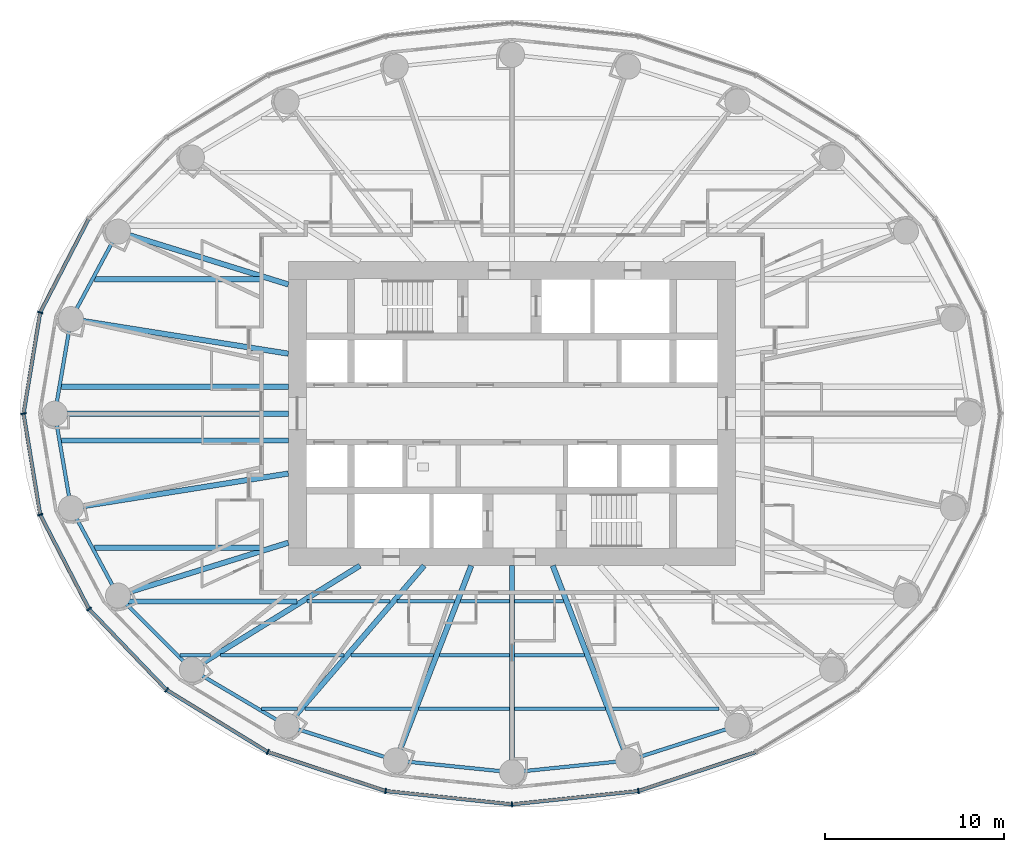
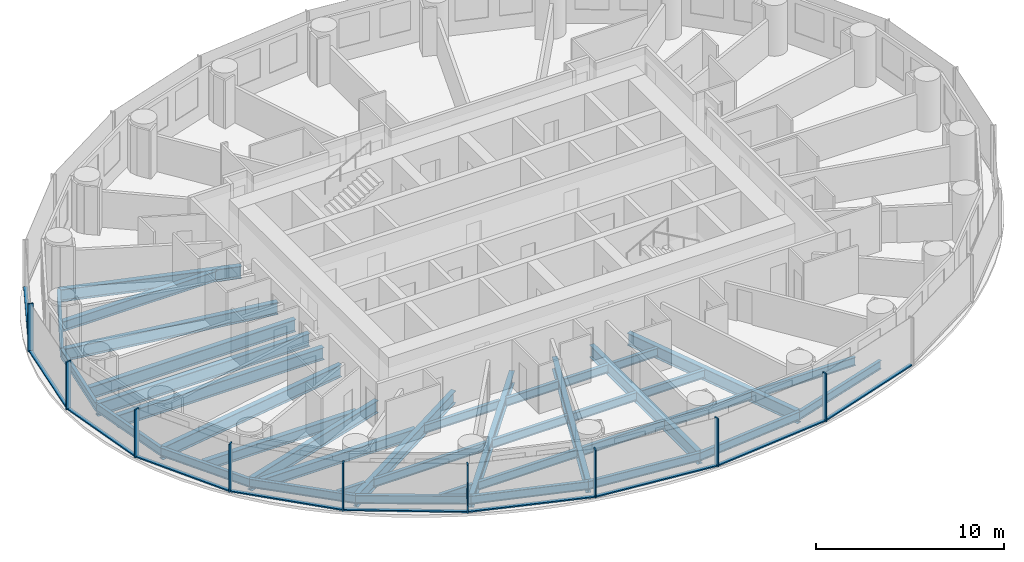
# One storey, part 2 of 16: 39 beams, 19 members, 3 elements without a shape of their own.
"""IFC4 building model written with IfcOpenShell, lengths in metres."""

from ifc_helpers import new_model, si_unit, direction, frame, origin, origin_2d, place, context, subcontext, project, spatial, rectangle, i_section, extrude, material, material_profile, profile_set, type_object, element, aggregate, save


model = new_model("IFC4")

# Units and contexts
model_context = context("Model", 3, precision=1e-05, world=origin(), true_north=direction((0.0, 1.0)))
body_context = subcontext(model_context, "Body", "Model", "MODEL_VIEW")
ifc_project = project(units=[si_unit("LENGTHUNIT", "METRE"), si_unit("AREAUNIT", "SQUARE_METRE"), si_unit("VOLUMEUNIT", "CUBIC_METRE"), si_unit("PLANEANGLEUNIT", "RADIAN"), si_unit("MASSUNIT", "GRAM", prefix="KILO")], contexts=[model_context])

# Site, building, storey
site_placement = place(None, origin())
site = spatial("IfcSite", under=ifc_project, at=site_placement, CompositionType="ELEMENT")
building_placement = place(site_placement, origin())
building = spatial("IfcBuilding", under=site, at=building_placement, Name="Hankou Lantern Tower", CompositionType="ELEMENT")
storey_placement = place(building_placement, frame((0.0, 0.0, 77.10009765625)))
storey = spatial("IfcBuildingStorey", under=building, at=storey_placement, Name="L19", CompositionType="ELEMENT", Elevation=77.10009765625)

# Beams
ifc_material_1 = material(Name="Steel Q355B", Category="steel")
ifc_material_profile_1 = material_profile(ifc_material_1, i_section(OverallWidth=0.199951171875, OverallDepth=0.550048828125, WebThickness=0.010009765625, FlangeThickness=0.01611328125, FilletRadius=0.012939453125, at=origin_2d()), Name="HN550x200x10x16")
ifc_profile_set_1 = profile_set([ifc_material_profile_1], Name="Steel Q355B")
beam_type_1 = type_object("IfcBeamType", Name="EB6 RING BEAM HN550x200x10x16", PredefinedType="SPANDREL", material=ifc_profile_set_1)
beam_1_placement = place(storey_placement, frame((-22.01904296875, 10.170166015625, -0.455078125), z_axis=(-0.473609096023, -0.880735161194, 0.0), x_axis=(0.880735161194, -0.473609096023, 0.0)))
element("IfcBeam", 1, at=beam_1_placement, inside=storey, type_object=beam_type_1, Name="Ring beam R11-R12 L19", PredefinedType="SPANDREL", context=body_context, shape_type="SweptSolid", body=[
    extrude(i_section(OverallWidth=0.199951171875, OverallDepth=0.550048828125, WebThickness=0.010009765625, FlangeThickness=0.01611328125, FilletRadius=0.012939453125, at=origin_2d()), origin(), (0.0, 0.0, 1.0), 5.548828125),
])
for number, where, z_axis, x_axis, name in (
    (2, (-24.64697265625, 5.283203125, -0.455078125), (-0.168489691988, -0.985703415685, 0.0), (0.985703415685, -0.168489691988, 0.0), "Ring beam R12-R13 L19"),
    (3, (-25.550048828125, 0.0, -0.455078125), (0.168489691988, -0.985703415685, 0.0), (0.985703415685, 0.168489691988, 0.0), "Ring beam R13-R14 L19"),
):
    element("IfcBeam", number, at=place(storey_placement, frame(where, z_axis=z_axis, x_axis=x_axis)), inside=storey, type_object=beam_type_1, Name=name, PredefinedType="SPANDREL", context=body_context, shape_type="SweptSolid", body=[
        extrude(i_section(OverallWidth=0.199951171875, OverallDepth=0.550048828125, WebThickness=0.010009765625, FlangeThickness=0.01611328125, FilletRadius=0.012939453125, at=origin_2d()), origin(), (0.0, 0.0, 1.0), 5.35986328125),
    ])
beam_2_placement = place(storey_placement, frame((-24.64697265625, -5.283203125, -0.455078125), z_axis=(0.473609096023, -0.880735161194, 0.0), x_axis=(0.880735161194, 0.473609096023, 0.0)))
element("IfcBeam", 4, at=beam_2_placement, inside=storey, type_object=beam_type_1, Name="Ring beam R14-R15 L19", PredefinedType="SPANDREL", context=body_context, shape_type="SweptSolid", body=[
    extrude(i_section(OverallWidth=0.199951171875, OverallDepth=0.550048828125, WebThickness=0.010009765625, FlangeThickness=0.01611328125, FilletRadius=0.012939453125, at=origin_2d()), origin(), (0.0, 0.0, 1.0), 5.548828125),
])
beam_3_placement = place(storey_placement, frame((-22.01904296875, -10.170166015625, -0.455078125), z_axis=(0.705727798394, -0.708483079949, 0.0), x_axis=(0.708483079949, 0.705727798394, 0.0)))
element("IfcBeam", 5, at=beam_3_placement, inside=storey, type_object=beam_type_1, Name="Ring beam R15-R16 L19", PredefinedType="SPANDREL", context=body_context, shape_type="SweptSolid", body=[
    extrude(i_section(OverallWidth=0.199951171875, OverallDepth=0.550048828125, WebThickness=0.010009765625, FlangeThickness=0.01611328125, FilletRadius=0.012939453125, at=origin_2d()), origin(), (0.0, 0.0, 1.0), 5.84814453125),
])
beam_4_placement = place(storey_placement, frame((-17.891845703125, -14.3134765625, -0.455078125), z_axis=(0.860881533543, -0.508805449268, 0.0), x_axis=(0.508805449268, 0.860881533543, 0.0)))
element("IfcBeam", 6, at=beam_4_placement, inside=storey, type_object=beam_type_1, Name="Ring beam R16-R17 L19", PredefinedType="SPANDREL", context=body_context, shape_type="SweptSolid", body=[
    extrude(i_section(OverallWidth=0.199951171875, OverallDepth=0.550048828125, WebThickness=0.010009765625, FlangeThickness=0.01611328125, FilletRadius=0.012939453125, at=origin_2d()), origin(), (0.0, 0.0, 1.0), 6.15771484375),
])
beam_5_placement = place(storey_placement, frame((-12.5908203125, -17.446533203125, -0.455078125), z_axis=(0.952690479428, -0.303942182671, 0.0), x_axis=(0.303942182671, 0.952690479428, 0.0)))
element("IfcBeam", 7, at=beam_5_placement, inside=storey, type_object=beam_type_1, Name="Ring beam R17-R18 L19", PredefinedType="SPANDREL", context=body_context, shape_type="SweptSolid", body=[
    extrude(i_section(OverallWidth=0.199951171875, OverallDepth=0.550048828125, WebThickness=0.010009765625, FlangeThickness=0.01611328125, FilletRadius=0.012939453125, at=origin_2d()), origin(), (0.0, 0.0, 1.0), 6.398681640625),
])
for number, where, z_axis, x_axis, name in (
    (8, (-6.494873046875, -19.391357421875, -0.455078125), (0.994896616842, -0.100899562915, 0.0), (0.100899562915, 0.994896616842, 0.0), "Ring beam R18-R19 L19"),
    (9, (0.0, -20.050048828125, -0.455078125), (0.994896616842, 0.100899562915, 0.0), (-0.100899562915, 0.994896616842, 0.0), "Ring beam R19-R20 L19"),
):
    element("IfcBeam", number, at=place(storey_placement, frame(where, z_axis=z_axis, x_axis=x_axis)), inside=storey, type_object=beam_type_1, Name=name, PredefinedType="SPANDREL", context=body_context, shape_type="SweptSolid", body=[
        extrude(i_section(OverallWidth=0.199951171875, OverallDepth=0.550048828125, WebThickness=0.010009765625, FlangeThickness=0.01611328125, FilletRadius=0.012939453125, at=origin_2d()), origin(), (0.0, 0.0, 1.0), 6.528076171875),
    ])
beam_6_placement = place(storey_placement, frame((6.494873046875, -19.391357421875, -0.455078125), z_axis=(0.952690479428, 0.303942182671, 0.0), x_axis=(-0.303942182671, 0.952690479428, 0.0)))
element("IfcBeam", 10, at=beam_6_placement, inside=storey, type_object=beam_type_1, Name="Ring beam R20-R21 L19", PredefinedType="SPANDREL", context=body_context, shape_type="SweptSolid", body=[
    extrude(i_section(OverallWidth=0.199951171875, OverallDepth=0.550048828125, WebThickness=0.010009765625, FlangeThickness=0.01611328125, FilletRadius=0.012939453125, at=origin_2d()), origin(), (0.0, 0.0, 1.0), 6.398681640625),
])

# Curtain wall, member
ifc_material_2 = material(Name="Glass, dark grey tinted laminated", Category="glass")
curtain_wall_type = type_object("IfcCurtainWallType", Name="CWA OUTER SKIN LOW-RISE", PredefinedType="USERDEFINED", material=ifc_material_2)
curtain_wall_1_placement = place(storey_placement, origin())
curtain_wall_1 = element("IfcCurtainWall", 11, at=curtain_wall_1_placement, inside=storey, type_object=curtain_wall_type, Name="CWA L19 OS2", ObjectType="OUTER SKIN LOW-RISE", PredefinedType="USERDEFINED")
ifc_material_3 = material(Name="Aluminium, black anodised", Category="aluminium")
ifc_material_profile_2 = material_profile(ifc_material_3, rectangle(XDim=0.080078125, YDim=0.300048828125, at=origin_2d()), Name="MU1 80X300")
ifc_profile_set_2 = profile_set([ifc_material_profile_2], Name="Aluminium, black anodised")
member_type_1 = type_object("IfcMemberType", Name="MU1 OUTER SKIN MULLION 80X300", PredefinedType="MULLION", material=ifc_profile_set_2)
member_1_placement = place(storey_placement, frame((-26.369873046875, 5.652587890625, 0.0), z_axis=(0.0, 0.0, 1.0), x_axis=(-0.317595577365, -0.94822626479, 0.0)))
member_1 = element("IfcMember", 12, at=member_1_placement, type_object=member_type_1, Name="CWA mullion 6", PredefinedType="MULLION", context=body_context, shape_type="SweptSolid", body=[
    extrude(rectangle(XDim=0.080078125, YDim=0.300048828125, at=origin_2d()), origin(), (0.0, 0.0, 1.0), 3.119873046875),
])

# Curtain wall, members
curtain_wall_2_placement = place(storey_placement, origin())
curtain_wall_2 = element("IfcCurtainWall", 13, at=curtain_wall_2_placement, inside=storey, type_object=curtain_wall_type, Name="CWA L19 OS3", ObjectType="OUTER SKIN LOW-RISE", PredefinedType="USERDEFINED")
member_2_placement = place(storey_placement, frame((-27.300048828125, 0.0, 0.0), z_axis=(0.0, 0.0, 1.0), x_axis=(0.162381515188, -0.986728049427, 0.0)))
member_2 = element("IfcMember", 14, at=member_2_placement, type_object=member_type_1, Name="CWA mullion 1", PredefinedType="MULLION", context=body_context, shape_type="SweptSolid", body=[
    extrude(rectangle(XDim=0.080078125, YDim=0.300048828125, at=origin_2d()), origin(), (0.0, 0.0, 1.0), 3.119873046875),
])
member_3_placement = place(storey_placement, frame((-26.369873046875, -5.652587890625, 0.0), z_axis=(0.0, 0.0, 1.0), x_axis=(0.317595577365, -0.94822626479, 0.0)))
member_3 = element("IfcMember", 15, at=member_3_placement, type_object=member_type_1, Name="CWA mullion 2", PredefinedType="MULLION", context=body_context, shape_type="SweptSolid", body=[
    extrude(rectangle(XDim=0.080078125, YDim=0.300048828125, at=origin_2d()), origin(), (0.0, 0.0, 1.0), 3.119873046875),
])
member_4_placement = place(storey_placement, frame((-23.642578125, -10.919921875, 0.0), z_axis=(0.0, 0.0, 1.0), x_axis=(0.585205735974, -0.810884854084, 0.0)))
member_4 = element("IfcMember", 16, at=member_4_placement, type_object=member_type_1, Name="CWA mullion 3", PredefinedType="MULLION", context=body_context, shape_type="SweptSolid", body=[
    extrude(rectangle(XDim=0.080078125, YDim=0.300048828125, at=origin_2d()), origin(), (0.0, 0.0, 1.0), 3.119873046875),
])
member_5_placement = place(storey_placement, frame((-19.303955078125, -15.443115234375, 0.0), z_axis=(0.0, 0.0, 1.0), x_axis=(0.780868809444, -0.624695047553, 0.0)))
member_5 = element("IfcMember", 17, at=member_5_placement, type_object=member_type_1, Name="CWA mullion 4", PredefinedType="MULLION", context=body_context, shape_type="SweptSolid", body=[
    extrude(rectangle(XDim=0.080078125, YDim=0.300048828125, at=origin_2d()), origin(), (0.0, 0.0, 1.0), 3.119873046875),
])
member_6_placement = place(storey_placement, frame((-13.64990234375, -18.9140625, 0.0), z_axis=(0.0, 0.0, 1.0), x_axis=(0.907841299004, -0.419313934686, 0.0)))
member_6 = element("IfcMember", 18, at=member_6_placement, type_object=member_type_1, Name="CWA mullion 5", PredefinedType="MULLION", context=body_context, shape_type="SweptSolid", body=[
    extrude(rectangle(XDim=0.080078125, YDim=0.300048828125, at=origin_2d()), origin(), (0.0, 0.0, 1.0), 3.119873046875),
])
member_7_placement = place(storey_placement, frame((-7.065673828125, -21.095703125, 0.0), z_axis=(0.0, 0.0, 1.0), x_axis=(0.977787659625, -0.209597931016, 0.0)))
member_7 = element("IfcMember", 19, at=member_7_placement, type_object=member_type_1, Name="CWA mullion 6", PredefinedType="MULLION", context=body_context, shape_type="SweptSolid", body=[
    extrude(rectangle(XDim=0.080078125, YDim=0.300048828125, at=origin_2d()), origin(), (0.0, 0.0, 1.0), 3.119873046875),
])

curtain_wall_3_placement = place(storey_placement, origin())
curtain_wall_3 = element("IfcCurtainWall", 20, at=curtain_wall_3_placement, inside=storey, type_object=curtain_wall_type, Name="CWA L19 OS4", ObjectType="OUTER SKIN LOW-RISE", PredefinedType="USERDEFINED")
member_8_placement = place(storey_placement, frame((0.0, -21.840087890625, 0.0), z_axis=(0.0, 0.0, 1.0), x_axis=(0.994499359107, 0.104742659579, 0.0)))
member_8 = element("IfcMember", 21, at=member_8_placement, type_object=member_type_1, Name="CWA mullion 1", PredefinedType="MULLION", context=body_context, shape_type="SweptSolid", body=[
    extrude(rectangle(XDim=0.080078125, YDim=0.300048828125, at=origin_2d()), origin(), (0.0, 0.0, 1.0), 3.119873046875),
])
member_9_placement = place(storey_placement, frame((7.065673828125, -21.095703125, 0.0), z_axis=(0.0, 0.0, 1.0), x_axis=(0.977787659625, 0.209597931016, 0.0)))
member_9 = element("IfcMember", 22, at=member_9_placement, type_object=member_type_1, Name="CWA mullion 2", PredefinedType="MULLION", context=body_context, shape_type="SweptSolid", body=[
    extrude(rectangle(XDim=0.080078125, YDim=0.300048828125, at=origin_2d()), origin(), (0.0, 0.0, 1.0), 3.119873046875),
])

# Beams
ifc_material_4 = material(Name="Steel Q355B", Category="steel")
ifc_material_profile_3 = material_profile(ifc_material_4, i_section(OverallWidth=0.300048828125, OverallDepth=0.800048828125, WebThickness=0.013916015625, FlangeThickness=0.02587890625, FilletRadius=0.01806640625, at=origin_2d()), Name="HN800x300x14x26")
ifc_profile_set_3 = profile_set([ifc_material_profile_3], Name="Steel Q355B")
beam_type_2 = type_object("IfcBeamType", Name="RB11 RADIAL BEAM HN800x300x14x26", PredefinedType="BEAM", material=ifc_profile_set_3)
beam_7_placement = place(storey_placement, frame((-12.5, 7.216796875, -0.580078125), z_axis=(-0.955087327755, 0.29632447817, 0.0), x_axis=(-0.29632447817, -0.955087327755, 0.0)))
element("IfcBeam", 23, at=beam_7_placement, inside=storey, type_object=beam_type_2, Name="Radial beam R11 L19", PredefinedType="BEAM", context=body_context, shape_type="SweptSolid", body=[
    extrude(i_section(OverallWidth=0.300048828125, OverallDepth=0.800048828125, WebThickness=0.013916015625, FlangeThickness=0.02587890625, FilletRadius=0.01806640625, at=origin_2d()), origin(), (0.0, 0.0, 1.0), 9.966552734375),
])
for number, where, z_axis, x_axis, name in (
    (24, (-12.5, 3.349365234375, -0.580078125), (-0.987563081343, 0.157223281893, 0.0), (-0.157223281893, -0.987563081343, 0.0), "Radial beam R12 L19"),
    (25, (-12.5, -3.349365234375, -0.580078125), (-0.987563081343, -0.157223281893, 0.0), (0.157223281893, -0.987563081343, 0.0), "Radial beam R14 L19"),
):
    element("IfcBeam", number, at=place(storey_placement, frame(where, z_axis=z_axis, x_axis=x_axis)), inside=storey, type_object=beam_type_2, Name=name, PredefinedType="BEAM", context=body_context, shape_type="SweptSolid", body=[
        extrude(i_section(OverallWidth=0.300048828125, OverallDepth=0.800048828125, WebThickness=0.013916015625, FlangeThickness=0.02587890625, FilletRadius=0.01806640625, at=origin_2d()), origin(), (0.0, 0.0, 1.0), 12.300048828125),
    ])
beam_8_placement = place(storey_placement, frame((-12.5, -7.216796875, -0.580078125), z_axis=(-0.955087327755, -0.29632447817, 0.0), x_axis=(0.29632447817, -0.955087327755, 0.0)))
element("IfcBeam", 26, at=beam_8_placement, inside=storey, type_object=beam_type_2, Name="Radial beam R15 L19", PredefinedType="BEAM", context=body_context, shape_type="SweptSolid", body=[
    extrude(i_section(OverallWidth=0.300048828125, OverallDepth=0.800048828125, WebThickness=0.013916015625, FlangeThickness=0.02587890625, FilletRadius=0.01806640625, at=origin_2d()), origin(), (0.0, 0.0, 1.0), 9.966552734375),
])
beam_9_placement = place(storey_placement, frame((-8.5, -8.5, -0.580078125), z_axis=(-0.850286343288, -0.526320372414, 0.0), x_axis=(0.526320372414, -0.850286343288, 0.0)))
element("IfcBeam", 27, at=beam_9_placement, inside=storey, type_object=beam_type_2, Name="Radial beam R16 L19", PredefinedType="BEAM", context=body_context, shape_type="SweptSolid", body=[
    extrude(i_section(OverallWidth=0.300048828125, OverallDepth=0.800048828125, WebThickness=0.013916015625, FlangeThickness=0.02587890625, FilletRadius=0.01806640625, at=origin_2d()), origin(), (0.0, 0.0, 1.0), 11.04541015625),
])
beam_10_placement = place(storey_placement, frame((-4.907470703125, -8.5, -0.580078125), z_axis=(-0.651519061225, -0.758632264579, 0.0), x_axis=(0.758632264579, -0.651519061225, 0.0)))
element("IfcBeam", 28, at=beam_10_placement, inside=storey, type_object=beam_type_2, Name="Radial beam R17 L19", PredefinedType="BEAM", context=body_context, shape_type="SweptSolid", body=[
    extrude(i_section(OverallWidth=0.300048828125, OverallDepth=0.800048828125, WebThickness=0.013916015625, FlangeThickness=0.02587890625, FilletRadius=0.01806640625, at=origin_2d()), origin(), (0.0, 0.0, 1.0), 11.79296875),
])
beam_11_placement = place(storey_placement, frame((-2.277587890625, -8.5, -0.580078125), z_axis=(-0.361089103374, -0.932531318201, 0.0), x_axis=(0.932531318201, -0.361089103374, 0.0)))
element("IfcBeam", 29, at=beam_11_placement, inside=storey, type_object=beam_type_2, Name="Radial beam R18 L19", PredefinedType="BEAM", context=body_context, shape_type="SweptSolid", body=[
    extrude(i_section(OverallWidth=0.300048828125, OverallDepth=0.800048828125, WebThickness=0.013916015625, FlangeThickness=0.02587890625, FilletRadius=0.01806640625, at=origin_2d()), origin(), (0.0, 0.0, 1.0), 11.679443359375),
])
beam_12_placement = place(storey_placement, frame((0.0, -8.5, -0.580078125), z_axis=(0.0, -1.0, 0.0), x_axis=(1.0, 0.0, 0.0)))
element("IfcBeam", 30, at=beam_12_placement, inside=storey, type_object=beam_type_2, Name="Radial beam R19 L19", PredefinedType="BEAM", context=body_context, shape_type="SweptSolid", body=[
    extrude(i_section(OverallWidth=0.300048828125, OverallDepth=0.800048828125, WebThickness=0.013916015625, FlangeThickness=0.02587890625, FilletRadius=0.01806640625, at=origin_2d()), origin(), (0.0, 0.0, 1.0), 11.550048828125),
])
beam_13_placement = place(storey_placement, frame((2.277587890625, -8.5, -0.580078125), z_axis=(0.361089103374, -0.932531318201, 0.0), x_axis=(0.932531318201, 0.361089103374, 0.0)))
element("IfcBeam", 31, at=beam_13_placement, inside=storey, type_object=beam_type_2, Name="Radial beam R20 L19", PredefinedType="BEAM", context=body_context, shape_type="SweptSolid", body=[
    extrude(i_section(OverallWidth=0.300048828125, OverallDepth=0.800048828125, WebThickness=0.013916015625, FlangeThickness=0.02587890625, FilletRadius=0.01806640625, at=origin_2d()), origin(), (0.0, 0.0, 1.0), 11.679443359375),
])
ifc_material_5 = material(Name="Steel Q355B", Category="steel")
ifc_material_profile_4 = material_profile(ifc_material_5, i_section(OverallWidth=0.300048828125, OverallDepth=0.85009765625, WebThickness=0.01611328125, FlangeThickness=0.027099609375, FilletRadius=0.01806640625, at=origin_2d()), Name="HN850x300x16x27")
ifc_profile_set_4 = profile_set([ifc_material_profile_4], Name="Steel Q355B")
beam_type_3 = type_object("IfcBeamType", Name="RB12 RADIAL BEAM HN850x300x16x27", PredefinedType="BEAM", material=ifc_profile_set_4)
beam_14_placement = place(storey_placement, frame((-12.5, 0.0, -0.60498046875), z_axis=(-1.0, 0.0, 0.0), x_axis=(0.0, -1.0, 0.0)))
element("IfcBeam", 32, at=beam_14_placement, inside=storey, type_object=beam_type_3, Name="Radial beam R13 L19", PredefinedType="BEAM", context=body_context, shape_type="SweptSolid", body=[
    extrude(i_section(OverallWidth=0.300048828125, OverallDepth=0.85009765625, WebThickness=0.01611328125, FlangeThickness=0.027099609375, FilletRadius=0.01806640625, at=origin_2d()), origin(), (0.0, 0.0, 1.0), 13.050048828125),
])
ifc_material_6 = material(Name="Steel Q355B", Category="steel")
ifc_material_profile_5 = material_profile(ifc_material_6, i_section(OverallWidth=0.300048828125, OverallDepth=0.800048828125, WebThickness=0.013916015625, FlangeThickness=0.02587890625, FilletRadius=0.01806640625, at=origin_2d()), Name="HN800x300x14x26")
ifc_profile_set_5 = profile_set([ifc_material_profile_5], Name="Steel Q355B")
beam_type_4 = type_object("IfcBeamType", Name="SB11 SECONDARY BEAM HN800x300x14x26", PredefinedType="JOIST", material=ifc_profile_set_5)
for number, where, z_axis, x_axis, name in (
    (33, (-25.192138671875, -1.5, -0.580078125), (1.0, 0.0, 0.0), (0.0, 1.0, 0.0), "Floor joist J029 L19"),
    (34, (-25.192138671875, 1.5, -0.580078125), (1.0, 0.0, 0.0), (0.0, 1.0, 0.0), "Floor joist J031 L19"),
):
    element("IfcBeam", number, at=place(storey_placement, frame(where, z_axis=z_axis, x_axis=x_axis)), inside=storey, type_object=beam_type_4, Name=name, PredefinedType="JOIST", context=body_context, shape_type="SweptSolid", body=[
        extrude(i_section(OverallWidth=0.300048828125, OverallDepth=0.800048828125, WebThickness=0.013916015625, FlangeThickness=0.02587890625, FilletRadius=0.01806640625, at=origin_2d()), origin(), (0.0, 0.0, 1.0), 12.692138671875),
    ])
ifc_material_7 = material(Name="Steel Q355B", Category="steel")
ifc_material_profile_6 = material_profile(ifc_material_7, i_section(OverallWidth=0.199951171875, OverallDepth=0.550048828125, WebThickness=0.010009765625, FlangeThickness=0.01611328125, FilletRadius=0.012939453125, at=origin_2d()), Name="HN550x200x10x16")
ifc_profile_set_6 = profile_set([ifc_material_profile_6], Name="Steel Q355B")
beam_type_5 = type_object("IfcBeamType", Name="SB6 SECONDARY BEAM HN550x200x10x16", PredefinedType="JOIST", material=ifc_profile_set_6)
beam_15_placement = place(storey_placement, frame((-13.99560546875, -16.5, -0.455078125), z_axis=(1.0, 0.0, 0.0), x_axis=(0.0, 1.0, 0.0)))
element("IfcBeam", 35, at=beam_15_placement, inside=storey, type_object=beam_type_5, Name="Floor joist J001 L19", PredefinedType="JOIST", context=body_context, shape_type="SweptSolid", body=[
    extrude(i_section(OverallWidth=0.199951171875, OverallDepth=0.550048828125, WebThickness=0.010009765625, FlangeThickness=0.01611328125, FilletRadius=0.012939453125, at=origin_2d()), origin(), (0.0, 0.0, 1.0), 2.019775390625),
])
beam_16_placement = place(storey_placement, frame((-11.580322265625, -16.5, -0.455078125), z_axis=(1.0, 0.0, 0.0), x_axis=(0.0, 1.0, 0.0)))
element("IfcBeam", 36, at=beam_16_placement, inside=storey, type_object=beam_type_5, Name="Floor joist J002 L19", PredefinedType="JOIST", context=body_context, shape_type="SweptSolid", body=[
    extrude(i_section(OverallWidth=0.199951171875, OverallDepth=0.550048828125, WebThickness=0.010009765625, FlangeThickness=0.01611328125, FilletRadius=0.012939453125, at=origin_2d()), origin(), (0.0, 0.0, 1.0), 6.044189453125),
])
for number, where, z_axis, x_axis, name in (
    (37, (-5.21435546875, -16.5, -0.455078125), (1.0, 0.0, 0.0), (0.0, 1.0, 0.0), "Floor joist J003 L19"),
    (38, (0.14990234375, -16.5, -0.455078125), (1.0, 0.0, 0.0), (0.0, 1.0, 0.0), "Floor joist J004 L19"),
):
    element("IfcBeam", number, at=place(storey_placement, frame(where, z_axis=z_axis, x_axis=x_axis)), inside=storey, type_object=beam_type_5, Name=name, PredefinedType="JOIST", context=body_context, shape_type="SweptSolid", body=[
        extrude(i_section(OverallWidth=0.199951171875, OverallDepth=0.550048828125, WebThickness=0.010009765625, FlangeThickness=0.01611328125, FilletRadius=0.012939453125, at=origin_2d()), origin(), (0.0, 0.0, 1.0), 5.064453125),
    ])
beam_17_placement = place(storey_placement, frame((5.5361328125, -16.5, -0.455078125), z_axis=(1.0, 0.0, 0.0), x_axis=(0.0, 1.0, 0.0)))
element("IfcBeam", 39, at=beam_17_placement, inside=storey, type_object=beam_type_5, Name="Floor joist J005 L19", PredefinedType="JOIST", context=body_context, shape_type="SweptSolid", body=[
    extrude(i_section(OverallWidth=0.199951171875, OverallDepth=0.550048828125, WebThickness=0.010009765625, FlangeThickness=0.01611328125, FilletRadius=0.012939453125, at=origin_2d()), origin(), (0.0, 0.0, 1.0), 6.044189453125),
])
beam_18_placement = place(storey_placement, frame((-18.560791015625, -13.5, -0.455078125), z_axis=(1.0, 0.0, 0.0), x_axis=(0.0, 1.0, 0.0)))
element("IfcBeam", 40, at=beam_18_placement, inside=storey, type_object=beam_type_5, Name="Floor joist J007 L19", PredefinedType="JOIST", context=body_context, shape_type="SweptSolid", body=[
    extrude(i_section(OverallWidth=0.199951171875, OverallDepth=0.550048828125, WebThickness=0.010009765625, FlangeThickness=0.01611328125, FilletRadius=0.012939453125, at=origin_2d()), origin(), (0.0, 0.0, 1.0), 1.697998046875),
])
beam_19_placement = place(storey_placement, frame((-16.292724609375, -13.5, -0.455078125), z_axis=(1.0, 0.0, 0.0), x_axis=(0.0, 1.0, 0.0)))
element("IfcBeam", 41, at=beam_19_placement, inside=storey, type_object=beam_type_5, Name="Floor joist J008 L19", PredefinedType="JOIST", context=body_context, shape_type="SweptSolid", body=[
    extrude(i_section(OverallWidth=0.199951171875, OverallDepth=0.550048828125, WebThickness=0.010009765625, FlangeThickness=0.01611328125, FilletRadius=0.012939453125, at=origin_2d()), origin(), (0.0, 0.0, 1.0), 6.893310546875),
])
beam_20_placement = place(storey_placement, frame((-9.00390625, -13.5, -0.455078125), z_axis=(1.0, 0.0, 0.0), x_axis=(0.0, 1.0, 0.0)))
element("IfcBeam", 42, at=beam_20_placement, inside=storey, type_object=beam_type_5, Name="Floor joist J009 L19", PredefinedType="JOIST", context=body_context, shape_type="SweptSolid", body=[
    extrude(i_section(OverallWidth=0.199951171875, OverallDepth=0.550048828125, WebThickness=0.010009765625, FlangeThickness=0.01611328125, FilletRadius=0.012939453125, at=origin_2d()), origin(), (0.0, 0.0, 1.0), 4.62939453125),
])
for number, where, z_axis, x_axis, name in (
    (43, (-4.052734375, -13.5, -0.455078125), (1.0, 0.0, 0.0), (0.0, 1.0, 0.0), "Floor joist J010 L19"),
    (44, (0.14990234375, -13.5, -0.455078125), (1.0, 0.0, 0.0), (0.0, 1.0, 0.0), "Floor joist J011 L19"),
):
    element("IfcBeam", number, at=place(storey_placement, frame(where, z_axis=z_axis, x_axis=x_axis)), inside=storey, type_object=beam_type_5, Name=name, PredefinedType="JOIST", context=body_context, shape_type="SweptSolid", body=[
        extrude(i_section(OverallWidth=0.199951171875, OverallDepth=0.550048828125, WebThickness=0.010009765625, FlangeThickness=0.01611328125, FilletRadius=0.012939453125, at=origin_2d()), origin(), (0.0, 0.0, 1.0), 3.90283203125),
    ])
beam_21_placement = place(storey_placement, frame((-11.446044921875, -10.5, -0.455078125), z_axis=(1.0, 0.0, 0.0), x_axis=(0.0, 1.0, 0.0)))
element("IfcBeam", 45, at=beam_21_placement, inside=storey, type_object=beam_type_5, Name="Floor joist J016 L19", PredefinedType="JOIST", context=body_context, shape_type="SweptSolid", body=[
    extrude(i_section(OverallWidth=0.199951171875, OverallDepth=0.550048828125, WebThickness=0.010009765625, FlangeThickness=0.01611328125, FilletRadius=0.012939453125, at=origin_2d()), origin(), (0.0, 0.0, 1.0), 4.623291015625),
])
beam_22_placement = place(storey_placement, frame((-6.427490234375, -10.5, -0.455078125), z_axis=(1.0, 0.0, 0.0), x_axis=(0.0, 1.0, 0.0)))
element("IfcBeam", 46, at=beam_22_placement, inside=storey, type_object=beam_type_5, Name="Floor joist J017 L19", PredefinedType="JOIST", context=body_context, shape_type="SweptSolid", body=[
    extrude(i_section(OverallWidth=0.199951171875, OverallDepth=0.550048828125, WebThickness=0.010009765625, FlangeThickness=0.01611328125, FilletRadius=0.012939453125, at=origin_2d()), origin(), (0.0, 0.0, 1.0), 3.214599609375),
])
for number, where, z_axis, x_axis, name in (
    (47, (-2.89111328125, -10.5, -0.455078125), (1.0, 0.0, 0.0), (0.0, 1.0, 0.0), "Floor joist J018 L19"),
    (48, (0.14990234375, -10.5, -0.455078125), (1.0, 0.0, 0.0), (0.0, 1.0, 0.0), "Floor joist J019 L19"),
):
    element("IfcBeam", number, at=place(storey_placement, frame(where, z_axis=z_axis, x_axis=x_axis)), inside=storey, type_object=beam_type_5, Name=name, PredefinedType="JOIST", context=body_context, shape_type="SweptSolid", body=[
        extrude(i_section(OverallWidth=0.199951171875, OverallDepth=0.550048828125, WebThickness=0.010009765625, FlangeThickness=0.01611328125, FilletRadius=0.012939453125, at=origin_2d()), origin(), (0.0, 0.0, 1.0), 2.7412109375),
    ])
ifc_material_8 = material(Name="Steel Q355B", Category="steel")
ifc_material_profile_7 = material_profile(ifc_material_8, i_section(OverallWidth=0.300048828125, OverallDepth=0.64990234375, WebThickness=0.010986328125, FlangeThickness=0.01708984375, FilletRadius=0.01806640625, at=origin_2d()), Name="HN650x300x11x17")
ifc_profile_set_7 = profile_set([ifc_material_profile_7], Name="Steel Q355B")
beam_type_6 = type_object("IfcBeamType", Name="SB8 SECONDARY BEAM HN650x300x11x17", PredefinedType="JOIST", material=ifc_profile_set_7)
beam_23_placement = place(storey_placement, frame((-21.54931640625, -10.5, -0.505126953125), z_axis=(1.0, 0.0, 0.0), x_axis=(0.0, 1.0, 0.0)))
element("IfcBeam", 49, at=beam_23_placement, inside=storey, type_object=beam_type_6, Name="Floor joist J015 L19", PredefinedType="JOIST", context=body_context, shape_type="SweptSolid", body=[
    extrude(i_section(OverallWidth=0.300048828125, OverallDepth=0.64990234375, WebThickness=0.010986328125, FlangeThickness=0.01708984375, FilletRadius=0.01806640625, at=origin_2d()), origin(), (0.0, 0.0, 1.0), 9.533203125),
])
for number, where, z_axis, x_axis, name in (
    (50, (-23.341552734375, -7.5, -0.505126953125), (1.0, 0.0, 0.0), (0.0, 1.0, 0.0), "Floor joist J023 L19"),
    (51, (-23.341552734375, 7.5, -0.505126953125), (1.0, 0.0, 0.0), (0.0, 1.0, 0.0), "Floor joist J037 L19"),
):
    element("IfcBeam", number, at=place(storey_placement, frame(where, z_axis=z_axis, x_axis=x_axis)), inside=storey, type_object=beam_type_6, Name=name, PredefinedType="JOIST", context=body_context, shape_type="SweptSolid", body=[
        extrude(i_section(OverallWidth=0.300048828125, OverallDepth=0.64990234375, WebThickness=0.010986328125, FlangeThickness=0.01708984375, FilletRadius=0.01806640625, at=origin_2d()), origin(), (0.0, 0.0, 1.0), 9.4228515625),
    ])

# Member
ifc_material_9 = material(Name="Aluminium, black anodised", Category="aluminium")
ifc_material_profile_8 = material_profile(ifc_material_9, rectangle(XDim=0.199951171875, YDim=0.080078125, at=origin_2d()), Name="TR1 200X80")
ifc_profile_set_8 = profile_set([ifc_material_profile_8], Name="Aluminium, black anodised")
member_type_2 = type_object("IfcMemberType", Name="TR1 OUTER SKIN TRANSOM 200X80", PredefinedType="USERDEFINED", material=ifc_profile_set_8)
member_10_placement = place(storey_placement, frame((-23.660888671875, 10.884521484375, 0.039794921875), z_axis=(-0.459786096495, -0.888029698529, 0.0), x_axis=(0.888029698529, -0.459786096495, 0.0)))
member_10 = element("IfcMember", 52, at=member_10_placement, type_object=member_type_2, Name="CWA transom 5", ObjectType="TRANSOM", PredefinedType="USERDEFINED", context=body_context, shape_type="SweptSolid", body=[
    extrude(rectangle(XDim=0.199951171875, YDim=0.080078125, at=origin_2d()), origin(), (0.0, 0.0, 1.0), 5.8515625),
])

member_11_placement = place(storey_placement, frame((-26.376220703125, 5.613037109375, 0.039794921875), z_axis=(-0.162387045529, -0.986727139307, 0.0), x_axis=(0.986727139307, -0.162387045529, 0.0)))
member_11 = element("IfcMember", 53, at=member_11_placement, type_object=member_type_2, Name="CWA transom 6", ObjectType="TRANSOM", PredefinedType="USERDEFINED", context=body_context, shape_type="SweptSolid", body=[
    extrude(rectangle(XDim=0.199951171875, YDim=0.080078125, at=origin_2d()), origin(), (0.0, 0.0, 1.0), 5.6484375),
])

aggregate(curtain_wall_1, [member_1, member_10, member_11])

member_12_placement = place(storey_placement, frame((-27.29345703125, -0.03955078125, 0.039794921875), z_axis=(0.162387045529, -0.986727139307, 0.0), x_axis=(0.986727139307, 0.162387045529, 0.0)))
member_12 = element("IfcMember", 54, at=member_12_placement, type_object=member_type_2, Name="CWA transom 1", ObjectType="TRANSOM", PredefinedType="USERDEFINED", context=body_context, shape_type="SweptSolid", body=[
    extrude(rectangle(XDim=0.199951171875, YDim=0.080078125, at=origin_2d()), origin(), (0.0, 0.0, 1.0), 5.6484375),
])

member_13_placement = place(storey_placement, frame((-26.351318359375, -5.688232421875, 0.039794921875), z_axis=(0.459786096495, -0.888029698529, 0.0), x_axis=(0.888029698529, 0.459786096495, 0.0)))
member_13 = element("IfcMember", 55, at=member_13_placement, type_object=member_type_2, Name="CWA transom 2", ObjectType="TRANSOM", PredefinedType="USERDEFINED", context=body_context, shape_type="SweptSolid", body=[
    extrude(rectangle(XDim=0.199951171875, YDim=0.080078125, at=origin_2d()), origin(), (0.0, 0.0, 1.0), 5.8515625),
])

member_14_placement = place(storey_placement, frame((-23.61474609375, -10.948974609375, 0.039794921875), z_axis=(0.692215537374, -0.721690827029, 0.0), x_axis=(0.721690827029, 0.692215537374, 0.0)))
member_14 = element("IfcMember", 56, at=member_14_placement, type_object=member_type_2, Name="CWA transom 3", ObjectType="TRANSOM", PredefinedType="USERDEFINED", context=body_context, shape_type="SweptSolid", body=[
    extrude(rectangle(XDim=0.199951171875, YDim=0.080078125, at=origin_2d()), origin(), (0.0, 0.0, 1.0), 6.187255859375),
])

member_15_placement = place(storey_placement, frame((-19.27001953125, -15.464111328125, 0.039794921875), z_axis=(0.85223969557, -0.523151508929, 0.0), x_axis=(0.523151508929, 0.85223969557, 0.0)))
member_15 = element("IfcMember", 57, at=member_15_placement, type_object=member_type_2, Name="CWA transom 4", ObjectType="TRANSOM", PredefinedType="USERDEFINED", context=body_context, shape_type="SweptSolid", body=[
    extrude(rectangle(XDim=0.199951171875, YDim=0.080078125, at=origin_2d()), origin(), (0.0, 0.0, 1.0), 6.554443359375),
])

member_16_placement = place(storey_placement, frame((-13.612060546875, -18.926513671875, 0.039794921875), z_axis=(0.949237318771, -0.314560825044, 0.0), x_axis=(0.314560825044, 0.949237318771, 0.0)))
member_16 = element("IfcMember", 58, at=member_16_placement, type_object=member_type_2, Name="CWA transom 5", ObjectType="TRANSOM", PredefinedType="USERDEFINED", context=body_context, shape_type="SweptSolid", body=[
    extrude(rectangle(XDim=0.199951171875, YDim=0.080078125, at=origin_2d()), origin(), (0.0, 0.0, 1.0), 6.8564453125),
])

member_17_placement = place(storey_placement, frame((-7.02587890625, -21.10009765625, 0.039794921875), z_axis=(0.994502215033, -0.104715539888, 0.0), x_axis=(0.104715539888, 0.994502215033, 0.0)))
member_17 = element("IfcMember", 59, at=member_17_placement, type_object=member_type_2, Name="CWA transom 6", ObjectType="TRANSOM", PredefinedType="USERDEFINED", context=body_context, shape_type="SweptSolid", body=[
    extrude(rectangle(XDim=0.199951171875, YDim=0.080078125, at=origin_2d()), origin(), (0.0, 0.0, 1.0), 7.024658203125),
])

aggregate(curtain_wall_2, [member_2, member_3, member_4, member_5, member_6, member_7, member_12, member_13, member_14, member_15, member_16, member_17])

member_18_placement = place(storey_placement, frame((0.039794921875, -21.835693359375, 0.039794921875), z_axis=(0.994502215033, 0.104715539888, 0.0), x_axis=(-0.104715539888, 0.994502215033, 0.0)))
member_18 = element("IfcMember", 60, at=member_18_placement, type_object=member_type_2, Name="CWA transom 1", ObjectType="TRANSOM", PredefinedType="USERDEFINED", context=body_context, shape_type="SweptSolid", body=[
    extrude(rectangle(XDim=0.199951171875, YDim=0.080078125, at=origin_2d()), origin(), (0.0, 0.0, 1.0), 7.024658203125),
])

member_19_placement = place(storey_placement, frame((7.103759765625, -21.083251953125, 0.039794921875), z_axis=(0.949237318771, 0.314560825044, 0.0), x_axis=(-0.314560825044, 0.949237318771, 0.0)))
member_19 = element("IfcMember", 61, at=member_19_placement, type_object=member_type_2, Name="CWA transom 2", ObjectType="TRANSOM", PredefinedType="USERDEFINED", context=body_context, shape_type="SweptSolid", body=[
    extrude(rectangle(XDim=0.199951171875, YDim=0.080078125, at=origin_2d()), origin(), (0.0, 0.0, 1.0), 6.8564453125),
])

aggregate(curtain_wall_3, [member_8, member_9, member_18, member_19])

save(model, "model.ifc")
